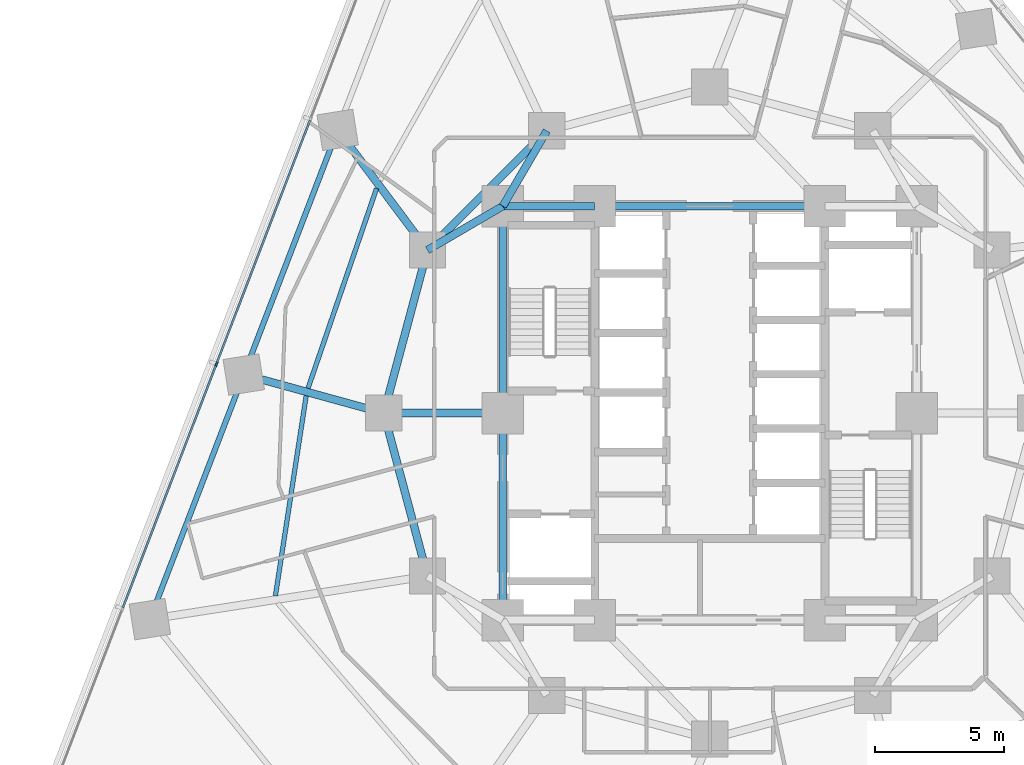
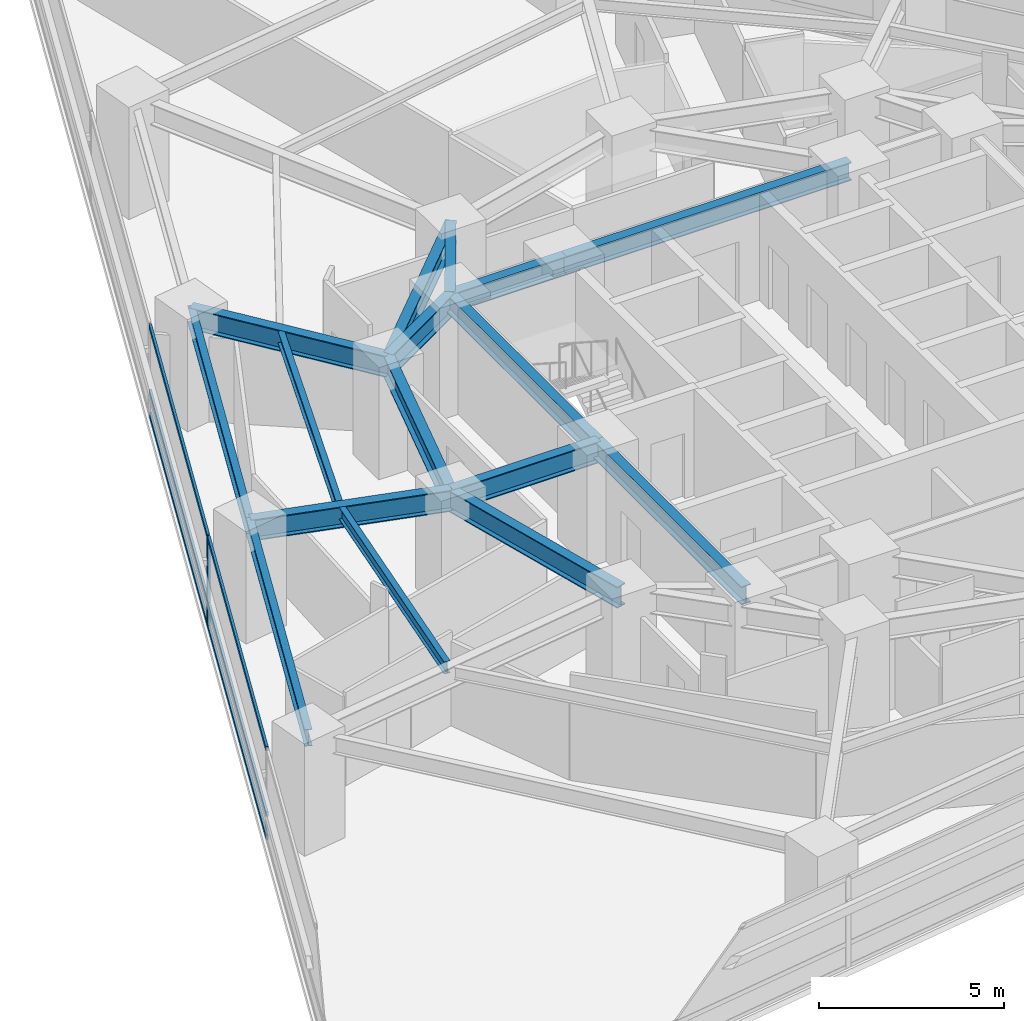
# One storey, part 3 of 14: 16 beams, 7 members, 1 element without a shape of its own.
"""IFC4 building model written with IfcOpenShell, lengths in metres."""

from ifc_helpers import new_model, si_unit, direction, frame, origin, origin_2d, place, context, subcontext, project, spatial, rectangle, i_section, extrude, material, layer, layer_set, material_profile, profile_set, type_object, element, aggregate, save


model = new_model("IFC4")

# Units and contexts
model_context = context("Model", 3, precision=1e-05, world=origin(), true_north=direction((0.0, 1.0)))
body_context = subcontext(model_context, "Body", "Model", "MODEL_VIEW")
ifc_project = project(units=[si_unit("LENGTHUNIT", "METRE"), si_unit("AREAUNIT", "SQUARE_METRE"), si_unit("VOLUMEUNIT", "CUBIC_METRE"), si_unit("PLANEANGLEUNIT", "RADIAN"), si_unit("MASSUNIT", "GRAM", prefix="KILO")], contexts=[model_context])

# Site, building, storey
site_placement = place(None, origin())
site = spatial("IfcSite", under=ifc_project, at=site_placement, CompositionType="ELEMENT")
building_placement = place(site_placement, origin())
building = spatial("IfcBuilding", under=site, at=building_placement, Name="Terralouvre Media Tower", CompositionType="ELEMENT")
storey_placement = place(building_placement, frame((0.0, 0.0, 66.699951171875)))
storey = spatial("IfcBuildingStorey", under=building, at=storey_placement, Name="L16", CompositionType="ELEMENT", Elevation=66.699951171875)

# Beams
ifc_material_1 = material(Name="Structural steel S355J2", Category="steel")
ifc_material_profile_1 = material_profile(ifc_material_1, i_section(OverallWidth=0.179931640625, OverallDepth=0.39990234375, WebThickness=0.008544921875, FlangeThickness=0.013427734375, at=origin_2d()), Name="IPE 400")
ifc_profile_set_1 = profile_set([ifc_material_profile_1], Name="Structural steel S355J2")
beam_type_1 = type_object("IfcBeamType", Name="Composite Floor Joist J-IPE400 (IPE 400)", PredefinedType="JOIST", material=ifc_profile_set_1)
beam_1_placement = place(storey_placement, frame((-12.87841796875, 8.684814453125, 3.300048828125), z_axis=(-0.324414525055, -0.945915015175, 0.0), x_axis=(0.945915015175, -0.324414525055, 0.0)))
element("IfcBeam", 1, at=beam_1_placement, inside=storey, type_object=beam_type_1, Name="L16 Framing Beam JT-L16-11", PredefinedType="JOIST", context=body_context, shape_type="SweptSolid", body=[
    extrude(i_section(OverallWidth=0.179931640625, OverallDepth=0.39990234375, WebThickness=0.008544921875, FlangeThickness=0.013427734375, at=origin_2d()), origin(), (0.0, 0.0, 1.0), 8.165283203125),
])
beam_2_placement = place(storey_placement, frame((-15.598876953125, 0.6708984375, 3.300048828125), z_axis=(-0.152106420826, -0.988364121538, 0.0), x_axis=(0.988364121538, -0.152106420826, 0.0)))
element("IfcBeam", 2, at=beam_2_placement, inside=storey, type_object=beam_type_1, Name="L16 Framing Beam JT-L16-12", PredefinedType="JOIST", context=body_context, shape_type="SweptSolid", body=[
    extrude(i_section(OverallWidth=0.179931640625, OverallDepth=0.39990234375, WebThickness=0.008544921875, FlangeThickness=0.013427734375, at=origin_2d()), origin(), (0.0, 0.0, 1.0), 7.82470703125),
])

# Curtain wall, members
ifc_material_2 = material(Name="Low-iron laminated double glazing with solar-control coating", Category="glass")
ifc_layer = layer(ifc_material_2, 0.1650390625, Name="Lower Media Tower Unitised Curtain Wall CW-02")
ifc_layer_set = layer_set([ifc_layer], Name="Low-iron laminated double glazing with solar-control coating")
curtain_wall_type = type_object("IfcCurtainWallType", Name="Lower Media Tower Unitised Curtain Wall CW-02", PredefinedType="NOTDEFINED", material=ifc_layer_set)
curtain_wall_placement = place(storey_placement, origin())
curtain_wall = element("IfcCurtainWall", 3, at=curtain_wall_placement, inside=storey, type_object=curtain_wall_type, Name="L16 Facade Curtain Wall F2", PredefinedType="NOTDEFINED")
ifc_material_3 = material(Name="Anodised extruded aluminium 6063-T6", Category="aluminium")
ifc_material_profile_2 = material_profile(ifc_material_3, rectangle(XDim=0.074951171875, YDim=0.14990234375, at=origin_2d()), Name="ALU 75x150")
ifc_profile_set_2 = profile_set([ifc_material_profile_2], Name="Anodised extruded aluminium 6063-T6")
member_type_1 = type_object("IfcMemberType", Name="Curtain-Wall Horizontal Transom TR-150", PredefinedType="USERDEFINED", material=ifc_profile_set_2)
member_1_placement = place(storey_placement, frame((-15.449951171875, 11.314697265625, 0.03759765625), z_axis=(-0.358357340084, -0.933584499019, 0.0), x_axis=(0.933584499019, -0.358357340084, 0.0)))
member_1 = element("IfcMember", 4, at=member_1_placement, type_object=member_type_1, Name="CW-02 transom 3.1", ObjectType="TRANSOM", PredefinedType="USERDEFINED", context=body_context, shape_type="SweptSolid", body=[
    extrude(rectangle(XDim=0.074951171875, YDim=0.14990234375, at=origin_2d()), origin(), (0.0, 0.0, 1.0), 10.052978515625),
])
member_2_placement = place(storey_placement, frame((-15.449951171875, 11.314697265625, 0.800048828125), z_axis=(-0.358357340084, -0.933584499019, 0.0), x_axis=(0.933584499019, -0.358357340084, 0.0)))
member_2 = element("IfcMember", 5, at=member_2_placement, type_object=member_type_1, Name="CW-02 transom 3.2", ObjectType="TRANSOM", PredefinedType="USERDEFINED", context=body_context, shape_type="SweptSolid", body=[
    extrude(rectangle(XDim=0.074951171875, YDim=0.14990234375, at=origin_2d()), origin(), (0.0, 0.0, 1.0), 10.052978515625),
])
member_3_placement = place(storey_placement, frame((-15.449951171875, 11.314697265625, 2.962646484375), z_axis=(-0.358357340084, -0.933584499019, 0.0), x_axis=(0.933584499019, -0.358357340084, 0.0)))
member_3 = element("IfcMember", 6, at=member_3_placement, type_object=member_type_1, Name="CW-02 transom 3.3", ObjectType="TRANSOM", PredefinedType="USERDEFINED", context=body_context, shape_type="SweptSolid", body=[
    extrude(rectangle(XDim=0.074951171875, YDim=0.14990234375, at=origin_2d()), origin(), (0.0, 0.0, 1.0), 10.052978515625),
])
member_4_placement = place(storey_placement, frame((-19.079345703125, 1.859375, 0.03759765625), z_axis=(-0.358378506594, -0.933576373957, 0.0), x_axis=(0.933576373957, -0.358378506594, 0.0)))
member_4 = element("IfcMember", 7, at=member_4_placement, type_object=member_type_1, Name="CW-02 transom 4.1", ObjectType="TRANSOM", PredefinedType="USERDEFINED", context=body_context, shape_type="SweptSolid", body=[
    extrude(rectangle(XDim=0.074951171875, YDim=0.14990234375, at=origin_2d()), origin(), (0.0, 0.0, 1.0), 10.052978515625),
])
member_5_placement = place(storey_placement, frame((-19.079345703125, 1.859375, 0.800048828125), z_axis=(-0.358378506594, -0.933576373957, 0.0), x_axis=(0.933576373957, -0.358378506594, 0.0)))
member_5 = element("IfcMember", 8, at=member_5_placement, type_object=member_type_1, Name="CW-02 transom 4.2", ObjectType="TRANSOM", PredefinedType="USERDEFINED", context=body_context, shape_type="SweptSolid", body=[
    extrude(rectangle(XDim=0.074951171875, YDim=0.14990234375, at=origin_2d()), origin(), (0.0, 0.0, 1.0), 10.052978515625),
])
member_6_placement = place(storey_placement, frame((-19.079345703125, 1.859375, 2.962646484375), z_axis=(-0.358378506594, -0.933576373957, 0.0), x_axis=(0.933576373957, -0.358378506594, 0.0)))
member_6 = element("IfcMember", 9, at=member_6_placement, type_object=member_type_1, Name="CW-02 transom 4.3", ObjectType="TRANSOM", PredefinedType="USERDEFINED", context=body_context, shape_type="SweptSolid", body=[
    extrude(rectangle(XDim=0.074951171875, YDim=0.14990234375, at=origin_2d()), origin(), (0.0, 0.0, 1.0), 10.052978515625),
])
ifc_material_4 = material(Name="Anodised extruded aluminium 6063-T6", Category="aluminium")
ifc_material_profile_3 = material_profile(ifc_material_4, rectangle(XDim=0.074951171875, YDim=0.179931640625, at=origin_2d()), Name="ALU 75x180")
ifc_profile_set_3 = profile_set([ifc_material_profile_3], Name="Anodised extruded aluminium 6063-T6")
member_type_2 = type_object("IfcMemberType", Name="Curtain-Wall Vertical Mullion ML-180", PredefinedType="MULLION", material=ifc_profile_set_3)
member_7_placement = place(storey_placement, frame((-19.06591796875, 1.89453125, 0.0), z_axis=(0.0, 0.0, 1.0), x_axis=(0.933580438988, -0.358367917006, 0.0)))
member_7 = element("IfcMember", 10, at=member_7_placement, type_object=member_type_2, Name="CW-02 mullion 4", PredefinedType="MULLION", context=body_context, shape_type="SweptSolid", body=[
    extrude(rectangle(XDim=0.074951171875, YDim=0.179931640625, at=origin_2d()), origin(), (0.0, 0.0, 1.0), 3.0),
])
aggregate(curtain_wall, [member_7, member_1, member_2, member_3, member_4, member_5, member_6])

# Beams
ifc_material_5 = material(Name="Structural steel S355J2", Category="steel")
ifc_material_profile_4 = material_profile(ifc_material_5, i_section(OverallWidth=0.2099609375, OverallDepth=0.550048828125, WebThickness=0.010986328125, FlangeThickness=0.01708984375, at=origin_2d()), Name="IPE 550")
ifc_profile_set_4 = profile_set([ifc_material_profile_4], Name="Structural steel S355J2")
beam_type_2 = type_object("IfcBeamType", Name="Perimeter Spandrel Beam SPB-550 (IPE 550)", PredefinedType="SPANDREL", material=ifc_profile_set_4)
for number, where, z_axis, x_axis, name in (
    (11, (-14.38134765625, 10.94482421875, 3.22509765625), (-0.358374878229, -0.933577766795, 0.0), (0.933577766795, -0.358374878229, 0.0), "L16 Framing Beam BM-L16-PR11"),
    (12, (-18.010986328125, 1.489501953125, 3.22509765625), (-0.358374878229, -0.933577766795, 0.0), (0.933577766795, -0.358374878229, 0.0), "L16 Framing Beam BM-L16-PR12"),
):
    element("IfcBeam", number, at=place(storey_placement, frame(where, z_axis=z_axis, x_axis=x_axis)), inside=storey, type_object=beam_type_2, Name=name, PredefinedType="SPANDREL", context=body_context, shape_type="SweptSolid", body=[
        extrude(i_section(OverallWidth=0.2099609375, OverallDepth=0.550048828125, WebThickness=0.010986328125, FlangeThickness=0.01708984375, at=origin_2d()), origin(), (0.0, 0.0, 1.0), 10.1279296875),
    ])
ifc_material_6 = material(Name="Structural steel S460M", Category="steel")
ifc_material_profile_5 = material_profile(ifc_material_6, i_section(OverallWidth=0.300048828125, OverallDepth=0.60009765625, WebThickness=0.015380859375, FlangeThickness=0.030029296875, at=origin_2d()), Name="HEB 600")
ifc_profile_set_5 = profile_set([ifc_material_profile_5], Name="Structural steel S460M")
beam_type_3 = type_object("IfcBeamType", Name="Primary Floor Girder B-HEB600 (HEB 600)", PredefinedType="BEAM", material=ifc_profile_set_5)
beam_3_placement = place(storey_placement, frame((4.449951171875, 8.0, 3.199951171875), z_axis=(-1.0, 0.0, 0.0), x_axis=(0.0, -1.0, 0.0)))
element("IfcBeam", 13, at=beam_3_placement, inside=storey, type_object=beam_type_3, Name="L16 Framing Beam BM-L16-CPR07", PredefinedType="BEAM", context=body_context, shape_type="SweptSolid", body=[
    extrude(i_section(OverallWidth=0.300048828125, OverallDepth=0.60009765625, WebThickness=0.015380859375, FlangeThickness=0.030029296875, at=origin_2d()), origin(), (0.0, 0.0, 1.0), 8.89990234375),
])
beam_4_placement = place(storey_placement, frame((-4.449951171875, 8.0, 3.199951171875), z_axis=(-1.0, 0.0, 0.0), x_axis=(0.0, -1.0, 0.0)))
element("IfcBeam", 14, at=beam_4_placement, inside=storey, type_object=beam_type_3, Name="L16 Framing Beam BM-L16-CPR08", PredefinedType="BEAM", context=body_context, shape_type="SweptSolid", body=[
    extrude(i_section(OverallWidth=0.300048828125, OverallDepth=0.60009765625, WebThickness=0.015380859375, FlangeThickness=0.030029296875, at=origin_2d()), origin(), (0.0, 0.0, 1.0), 3.550048828125),
])
for number, where, z_axis, x_axis, name in (
    (15, (-8.0, 8.0, 3.199951171875), (0.0, -1.0, 0.0), (1.0, 0.0, 0.0), "L16 Framing Beam BM-L16-CPR09"),
    (16, (-8.0, 0.0, 3.199951171875), (0.0, -1.0, 0.0), (1.0, 0.0, 0.0), "L16 Framing Beam BM-L16-CPR10"),
):
    element("IfcBeam", number, at=place(storey_placement, frame(where, z_axis=z_axis, x_axis=x_axis)), inside=storey, type_object=beam_type_3, Name=name, PredefinedType="BEAM", context=body_context, shape_type="SweptSolid", body=[
        extrude(i_section(OverallWidth=0.300048828125, OverallDepth=0.60009765625, WebThickness=0.015380859375, FlangeThickness=0.030029296875, at=origin_2d()), origin(), (0.0, 0.0, 1.0), 8.0),
    ])
ifc_material_7 = material(Name="Structural steel S460M", Category="steel")
ifc_material_profile_6 = material_profile(ifc_material_7, i_section(OverallWidth=0.300048828125, OverallDepth=0.699951171875, WebThickness=0.01708984375, FlangeThickness=0.031982421875, at=origin_2d()), Name="HEB 700")
ifc_profile_set_6 = profile_set([ifc_material_profile_6], Name="Structural steel S460M")
beam_type_4 = type_object("IfcBeamType", Name="Primary Floor Girder B-HEB700 (HEB 700)", PredefinedType="BEAM", material=ifc_profile_set_6)
beam_5_placement = place(storey_placement, frame((-6.300048828125, 10.911865234375, 3.150146484375), z_axis=(-0.707106781187, -0.707106781187, 0.0), x_axis=(0.707106781187, -0.707106781187, 0.0)))
element("IfcBeam", 17, at=beam_5_placement, inside=storey, type_object=beam_type_4, Name="L16 Framing Beam BM-L16-MR10", PredefinedType="BEAM", context=body_context, shape_type="SweptSolid", body=[
    extrude(i_section(OverallWidth=0.300048828125, OverallDepth=0.699951171875, WebThickness=0.01708984375, FlangeThickness=0.031982421875, at=origin_2d()), origin(), (0.0, 0.0, 1.0), 6.52197265625),
])
for number, where, z_axis, x_axis, name in (
    (18, (-10.911865234375, 6.300048828125, 3.150146484375), (-0.258838989821, -0.965920481897, 0.0), (0.965920481897, -0.258838989821, 0.0), "L16 Framing Beam BM-L16-MR11"),
    (19, (-12.60009765625, 0.0, 3.150146484375), (0.258838989821, -0.965920481897, 0.0), (0.965920481897, 0.258838989821, 0.0), "L16 Framing Beam BM-L16-MR12"),
):
    element("IfcBeam", number, at=place(storey_placement, frame(where, z_axis=z_axis, x_axis=x_axis)), inside=storey, type_object=beam_type_4, Name=name, PredefinedType="BEAM", context=body_context, shape_type="SweptSolid", body=[
        extrude(i_section(OverallWidth=0.300048828125, OverallDepth=0.699951171875, WebThickness=0.01708984375, FlangeThickness=0.031982421875, at=origin_2d()), origin(), (0.0, 0.0, 1.0), 6.522216796875),
    ])
for number, where, z_axis, x_axis, name in (
    (20, (-8.0, 8.0, 3.150146484375), (0.504172629717, 0.863602894532, 0.0), (-0.863602894532, 0.504172629717, 0.0), "L16 Framing Beam BM-L16-CM10"),
    (21, (-8.0, 8.0, 3.150146484375), (-0.863602894532, -0.504172629717, 0.0), (0.504172629717, -0.863602894532, 0.0), "L16 Framing Beam BM-L16-CM11"),
):
    element("IfcBeam", number, at=place(storey_placement, frame(where, z_axis=z_axis, x_axis=x_axis)), inside=storey, type_object=beam_type_4, Name=name, PredefinedType="BEAM", context=body_context, shape_type="SweptSolid", body=[
        extrude(i_section(OverallWidth=0.300048828125, OverallDepth=0.699951171875, WebThickness=0.01708984375, FlangeThickness=0.031982421875, at=origin_2d()), origin(), (0.0, 0.0, 1.0), 3.371826171875),
    ])
beam_6_placement = place(storey_placement, frame((-8.0, 0.0, 3.150146484375), z_axis=(-1.0, 0.0, 0.0), x_axis=(0.0, -1.0, 0.0)))
element("IfcBeam", 22, at=beam_6_placement, inside=storey, type_object=beam_type_4, Name="L16 Framing Beam BM-L16-CM12", PredefinedType="BEAM", context=body_context, shape_type="SweptSolid", body=[
    extrude(i_section(OverallWidth=0.300048828125, OverallDepth=0.699951171875, WebThickness=0.01708984375, FlangeThickness=0.031982421875, at=origin_2d()), origin(), (0.0, 0.0, 1.0), 4.60009765625),
])
beam_7_placement = place(storey_placement, frame((-10.911865234375, 6.300048828125, 3.150146484375), z_axis=(-0.598442434067, 0.801165808749, 0.0), x_axis=(-0.801165808749, -0.598442434067, 0.0)))
element("IfcBeam", 23, at=beam_7_placement, inside=storey, type_object=beam_type_4, Name="L16 Framing Beam BM-L16-RD11", PredefinedType="BEAM", context=body_context, shape_type="SweptSolid", body=[
    extrude(i_section(OverallWidth=0.300048828125, OverallDepth=0.699951171875, WebThickness=0.01708984375, FlangeThickness=0.031982421875, at=origin_2d()), origin(), (0.0, 0.0, 1.0), 5.797607421875),
])
beam_8_placement = place(storey_placement, frame((-12.60009765625, 0.0, 3.150146484375), z_axis=(-0.964136682273, 0.265406212992, 0.0), x_axis=(-0.265406212992, -0.964136682273, 0.0)))
element("IfcBeam", 24, at=beam_8_placement, inside=storey, type_object=beam_type_4, Name="L16 Framing Beam BM-L16-RD12", PredefinedType="BEAM", context=body_context, shape_type="SweptSolid", body=[
    extrude(i_section(OverallWidth=0.300048828125, OverallDepth=0.699951171875, WebThickness=0.01708984375, FlangeThickness=0.031982421875, at=origin_2d()), origin(), (0.0, 0.0, 1.0), 5.612060546875),
])

save(model, "model.ifc")
